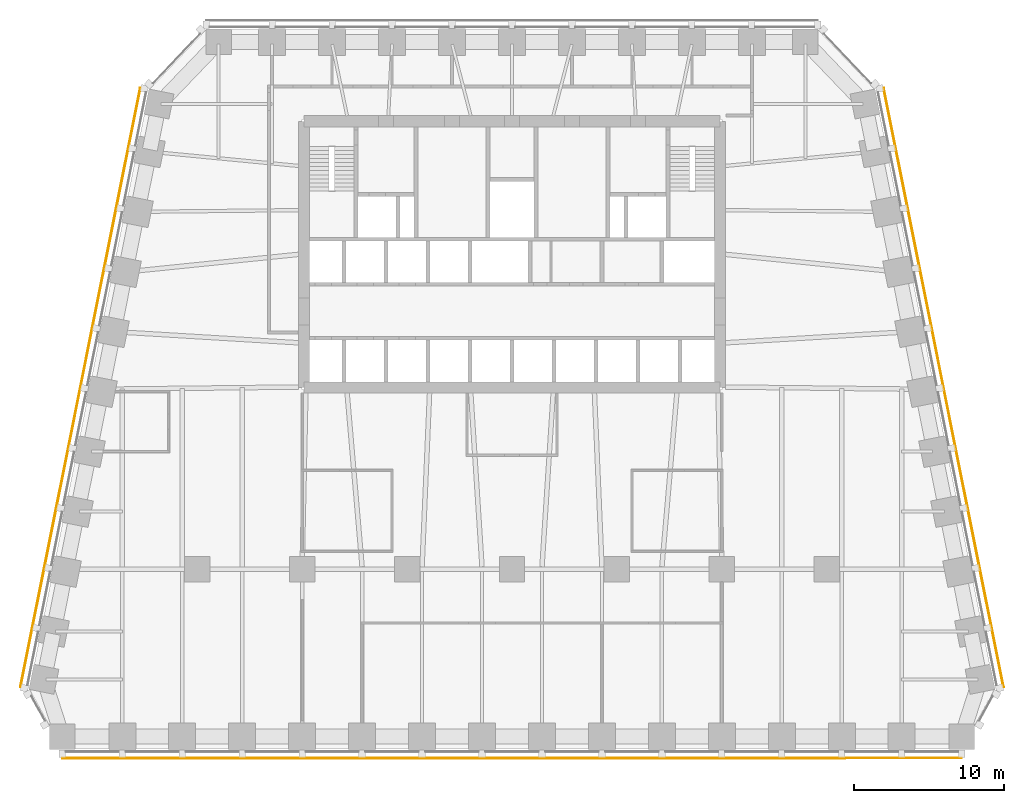
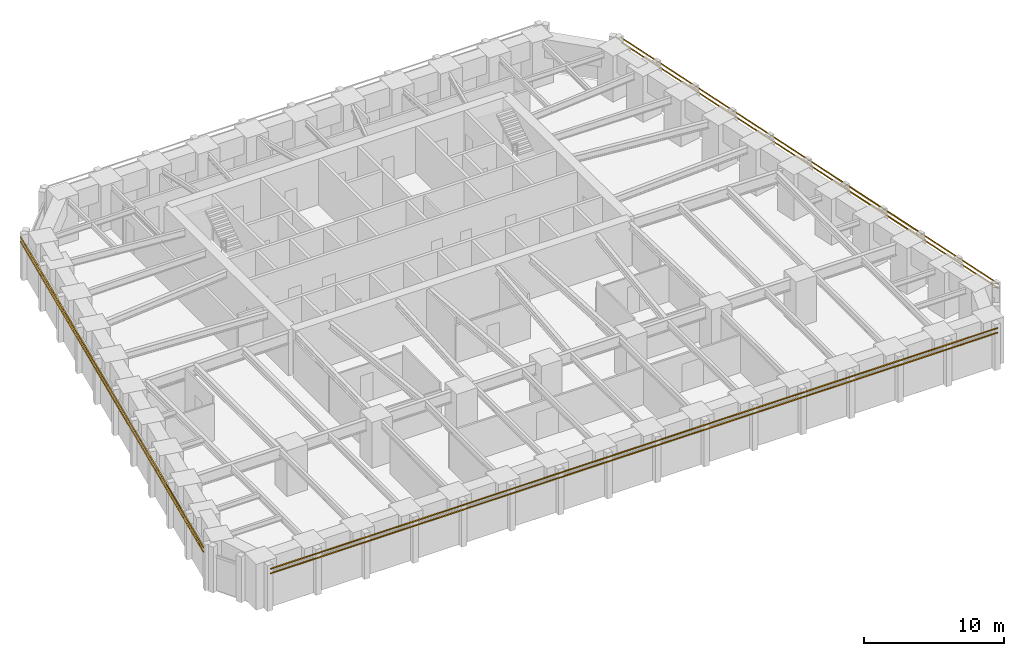
# One storey, part 8 of 9: 6 shading devices.
"""IFC4 building model written with IfcOpenShell, lengths in metres."""

from ifc_helpers import new_model, si_unit, direction, frame, origin, origin_2d, place, context, subcontext, project, spatial, rectangle, extrude, material, material_profile, profile_set, type_object, element, save


model = new_model("IFC4")

# Units and contexts
model_context = context("Model", 3, precision=1e-05, world=origin(), true_north=direction((0.0, 1.0)))
body_context = subcontext(model_context, "Body", "Model", "MODEL_VIEW")
ifc_project = project(units=[si_unit("LENGTHUNIT", "METRE"), si_unit("AREAUNIT", "SQUARE_METRE"), si_unit("VOLUMEUNIT", "CUBIC_METRE"), si_unit("PLANEANGLEUNIT", "RADIAN"), si_unit("MASSUNIT", "GRAM", prefix="KILO")], contexts=[model_context])

# Site, building, storey
site_placement = place(None, origin())
site = spatial("IfcSite", under=ifc_project, at=site_placement, CompositionType="ELEMENT")
building_placement = place(site_placement, origin())
building = spatial("IfcBuilding", under=site, at=building_placement, Name="Isbrekke Arena Tower", CompositionType="ELEMENT")
storey_placement = place(building_placement, frame((0.0, 0.0, 131.0)))
storey = spatial("IfcBuildingStorey", under=building, at=storey_placement, Name="L29", CompositionType="ELEMENT", Elevation=131.0)

# Shading devices
ifc_material = material(Name="Terracotta", Category="masonry")
ifc_material_profile = material_profile(ifc_material, rectangle(XDim=0.06005859375, YDim=0.06005859375, at=origin_2d()), Name="BAGUETTE 60X60")
ifc_profile_set = profile_set([ifc_material_profile], Name="Terracotta")
shading_device_type = type_object("IfcShadingDeviceType", Name="BG1 TERRACOTTA BAGUETTE 60 x 60", PredefinedType="USERDEFINED", material=ifc_profile_set)
for number, where, z_axis, x_axis, name in (
    (1, (-30.0, -18.60498046875, 3.280029296875), (1.0, 0.0, 0.0), (0.0, 1.0, 0.0), "BG1 terracotta baguette S1 L29"),
    (2, (-30.0, -18.60498046875, 3.679931640625), (1.0, 0.0, 0.0), (0.0, 1.0, 0.0), "BG1 terracotta baguette S2 L29"),
):
    element("IfcShadingDevice", number, at=place(storey_placement, frame(where, z_axis=z_axis, x_axis=x_axis)), inside=storey, type_object=shading_device_type, Name=name, ObjectType="TERRACOTTA BAGUETTE", PredefinedType="USERDEFINED", context=body_context, shape_type="SweptSolid", body=[
        extrude(rectangle(XDim=0.06005859375, YDim=0.06005859375, at=origin_2d()), origin(), (0.0, 0.0, 1.0), 60.0),
    ])
for number, where, z_axis, x_axis, name in (
    (3, (32.793212890625, -13.88134765625, 3.280029296875), (-0.196116135138, 0.980580675691, 0.0), (-0.980580675691, -0.196116135138, 0.0), "BG1 terracotta baguette E1 L29"),
    (4, (32.793212890625, -13.88134765625, 3.679931640625), (-0.196116135138, 0.980580675691, 0.0), (-0.980580675691, -0.196116135138, 0.0), "BG1 terracotta baguette E2 L29"),
    (5, (-24.793212890625, 26.11865234375, 3.280029296875), (-0.196116135138, -0.980580675691, 0.0), (0.980580675691, -0.196116135138, 0.0), "BG1 terracotta baguette W1 L29"),
    (6, (-24.793212890625, 26.11865234375, 3.679931640625), (-0.196116135138, -0.980580675691, 0.0), (0.980580675691, -0.196116135138, 0.0), "BG1 terracotta baguette W2 L29"),
):
    element("IfcShadingDevice", number, at=place(storey_placement, frame(where, z_axis=z_axis, x_axis=x_axis)), inside=storey, type_object=shading_device_type, Name=name, ObjectType="TERRACOTTA BAGUETTE", PredefinedType="USERDEFINED", context=body_context, shape_type="SweptSolid", body=[
        extrude(rectangle(XDim=0.06005859375, YDim=0.06005859375, at=origin_2d()), origin(), (0.0, 0.0, 1.0), 40.792236328125),
    ])

save(model, "model.ifc")
